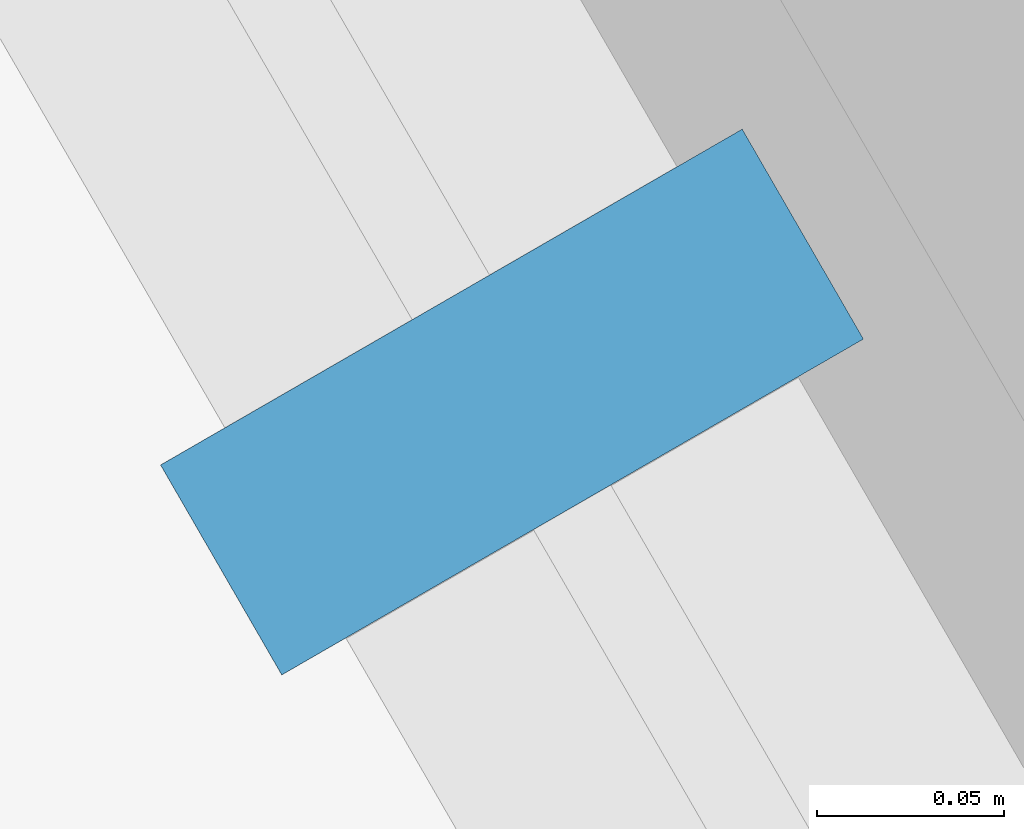
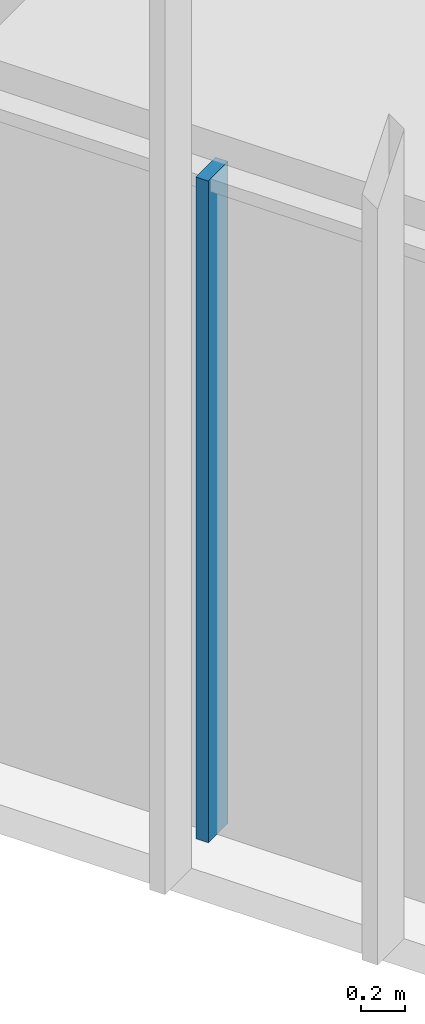
# One storey, part 45 of 256: 1 member, 1 element without a shape of its own.
"""IFC4 building model written with IfcOpenShell, lengths in metres."""

import ifcopenshell
import ifcopenshell.guid

model = None  # the IFC model being written
_history = None  # IfcOwnerHistory: only IFC2X3 demands one
_inside = {}  # id of a spatial element -> (the spatial element, [elements in it])
_under = {}  # id of a project, library or spatial element -> (it, [spatial elements below it])
_declared = {}  # id of a project -> (the project, [libraries it declares])
_typed = {}  # id of a type object -> (the type object, [elements of that type])
_made_of = {}  # id of a material, layer set ... -> (it, [elements and type objects made of it])


def new_model(schema):
    """Start an empty IFC model of exactly this schema.

    Asked for "IFC4X3", IfcOpenShell would pick the latest addendum, in which some entities
    have other attributes; the version numbers below select the first issue.
    IFC2X3 requires an IfcOwnerHistory on every rooted entity: one is made here for all.
    """
    global model, _history
    if schema == "IFC4X3":
        model = ifcopenshell.file(schema_version=(4, 3, 0, 0))
    else:
        model = ifcopenshell.file(schema=schema)
    _inside.clear()
    _under.clear()
    _declared.clear()
    _typed.clear()
    _made_of.clear()
    _history = None
    if model.schema == "IFC2X3":
        org = make("IfcOrganization", Name="unknown")
        user = make(
            "IfcPersonAndOrganization",
            ThePerson=make("IfcPerson", FamilyName="unknown"),
            TheOrganization=org,
        )
        app = make(
            "IfcApplication",
            ApplicationDeveloper=org,
            Version="unknown",
            ApplicationFullName="unknown",
            ApplicationIdentifier="unknown",
        )
        _history = make(
            "IfcOwnerHistory",
            OwningUser=user,
            OwningApplication=app,
            ChangeAction="ADDED",
            CreationDate=0,
        )
    return model


def make(cls, **values):
    """One entity of the class cls with the attributes given. An attribute that is None is left unset."""
    return model.create_entity(
        cls, **{name: value for name, value in values.items() if value is not None}
    )


def rooted(cls, **values):
    """An entity with a GlobalId (a new one), such as an element, a storey or a relation."""
    return make(cls, GlobalId=ifcopenshell.guid.new(), OwnerHistory=_history, **values)


def si_unit(unit_type, name, prefix=None):
    """IfcSIUnit, for example si_unit("LENGTHUNIT", "METRE", prefix="MILLI")."""
    return make("IfcSIUnit", UnitType=unit_type, Prefix=prefix, Name=name)


def assignment(units):
    """IfcUnitAssignment: the units of a project."""
    return None if units is None else make("IfcUnitAssignment", Units=units)


def point(xyz):
    """IfcCartesianPoint."""
    return None if xyz is None else make("IfcCartesianPoint", Coordinates=xyz)


def direction(xyz):
    """IfcDirection."""
    return None if xyz is None else make("IfcDirection", DirectionRatios=xyz)


def frame(location, z_axis=None, x_axis=None):
    """IfcAxis2Placement3D, a coordinate frame: its origin and axes. An axis left out is left unset."""
    return make(
        "IfcAxis2Placement3D",
        Location=point(location),
        Axis=direction(z_axis),
        RefDirection=direction(x_axis),
    )


def frame_2d(location, x_axis=None):
    """IfcAxis2Placement2D, a coordinate frame in the plane: its origin and x axis."""
    return make(
        "IfcAxis2Placement2D", Location=point(location), RefDirection=direction(x_axis)
    )


def origin():
    """The frame at (0, 0, 0) with its axes left unset."""
    return frame((0.0, 0.0, 0.0))


def origin_2d():
    """The frame at (0, 0) in the plane with its x axis left unset."""
    return frame_2d((0.0, 0.0))


def place(relative_to, where):
    """IfcLocalPlacement: puts the frame where relative to a parent placement (None: the world)."""
    return make(
        "IfcLocalPlacement", PlacementRelTo=relative_to, RelativePlacement=where
    )


def context(
    kind, dimensions, precision=None, world=None, true_north=None, identifier=None
):
    """IfcGeometricRepresentationContext, for example the 3D "Model" context."""
    return make(
        "IfcGeometricRepresentationContext",
        ContextIdentifier=identifier,
        ContextType=kind,
        CoordinateSpaceDimension=dimensions,
        Precision=precision,
        WorldCoordinateSystem=world,
        TrueNorth=true_north,
    )


def subcontext(parent, identifier, kind, view, scale=None):
    """IfcGeometricRepresentationSubContext, for example "Body" below "Model"."""
    return make(
        "IfcGeometricRepresentationSubContext",
        ContextIdentifier=identifier,
        ContextType=kind,
        ParentContext=parent,
        TargetScale=scale,
        TargetView=view,
    )


def project(units=None, contexts=None):
    """IfcProject with its units and contexts."""
    return rooted(
        "IfcProject",
        Name="project",
        RepresentationContexts=contexts,
        UnitsInContext=assignment(units),
    )


def spatial(cls, under=None, at=None, **own):
    """A site, building, storey or space (cls), placed at a placement, below another one or the project."""
    s = rooted(cls, ObjectPlacement=at, **own)
    if under is not None:
        _under.setdefault(under.id(), (under, []))[1].append(s)
    return s


def profile(cls, at=None, kind="AREA", **sizes):
    """A parametric profile (cls). Its sizes go by their IFC names, for example OverallWidth=200.0."""
    return make(cls, ProfileType=kind, Position=at, **sizes)


def rectangle(**sizes):
    """IfcRectangleProfileDef."""
    return profile("IfcRectangleProfileDef", **sizes)


def extrude(swept, where, along, depth):
    """IfcExtrudedAreaSolid: the profile swept, set in the frame where, extruded along a direction by depth."""
    return make(
        "IfcExtrudedAreaSolid",
        SweptArea=swept,
        Position=where,
        ExtrudedDirection=direction(along),
        Depth=depth,
    )


def shape(context_of_items, identifier, shape_type, items):
    """IfcShapeRepresentation: the items that make up one representation, for example the "Body"."""
    return make(
        "IfcShapeRepresentation",
        ContextOfItems=context_of_items,
        RepresentationIdentifier=identifier,
        RepresentationType=shape_type,
        Items=items,
    )


def material(Name=None, Category=None):
    """IfcMaterial."""
    return make("IfcMaterial", Name=Name, Category=Category)


def material_profile(
    of_material, cross_section, Name=None, Category=None, Priority=None
):
    """IfcMaterialProfile: a cross section and its material."""
    return make(
        "IfcMaterialProfile",
        Name=Name,
        Material=of_material,
        Profile=cross_section,
        Priority=Priority,
        Category=Category,
    )


def profile_set(profiles, Name=None, composite=None):
    """IfcMaterialProfileSet."""
    return make(
        "IfcMaterialProfileSet",
        Name=Name,
        MaterialProfiles=profiles,
        CompositeProfile=composite,
    )


def made_of(thing, what):
    """Note that an element or type object is made of a material, layer set ...; save() writes the relation."""
    if what is not None:
        _made_of.setdefault(what.id(), (what, []))[1].append(thing)
    return thing


def type_object(cls, material=None, **own):
    """A type object (cls), such as IfcWallType, which elements share."""
    return made_of(rooted(cls, **own), material)


def element(
    cls,
    number,
    at=None,
    inside=None,
    cuts=None,
    type_object=None,
    material=None,
    context=None,
    identifier="Body",
    shape_type=None,
    held_by="IfcProductDefinitionShape",
    body=None,
    shapes=None,
    **own,
):
    """One element of the class cls, such as IfcWall. Its Tag is "e" and its number.

    at: its placement. inside: the storey or other place that contains it. cuts: it is an
    opening in that element (IfcRelVoidsElement). A single representation is given by context,
    identifier, shape_type and body (its items); several are given by shapes. held_by: the class
    of the entity that holds the representations. save() writes the other relations.
    """
    e = rooted(cls, Tag="e%d" % number, ObjectPlacement=at, **own)
    if body is not None:
        shapes = [shape(context, identifier, shape_type, body)]
    if shapes is not None:
        e.Representation = make(held_by, Representations=shapes)
    if inside is not None:
        _inside.setdefault(inside.id(), (inside, []))[1].append(e)
    if cuts is not None:
        rooted(
            "IfcRelVoidsElement", RelatingBuildingElement=cuts, RelatedOpeningElement=e
        )
    if type_object is not None:
        _typed.setdefault(type_object.id(), (type_object, []))[1].append(e)
    return made_of(e, material)


def aggregate(whole, parts):
    """IfcRelAggregates: a whole, such as a stair, and the parts it consists of."""
    return rooted("IfcRelAggregates", RelatingObject=whole, RelatedObjects=parts)


def save(model, path):
    """Write the relations noted so far, then the file.

    IfcRelAggregates (storeys below a building ...), IfcRelContainedInSpatialStructure (elements
    in a storey), IfcRelDefinesByType, IfcRelAssociatesMaterial and IfcRelDeclares: one each for
    every whole, place, type object, material and project.
    """
    for whole, parts in _under.values():
        aggregate(whole, parts)
    for where, things in _inside.values():
        rooted(
            "IfcRelContainedInSpatialStructure",
            RelatedElements=things,
            RelatingStructure=where,
        )
    for kind, things in _typed.values():
        rooted("IfcRelDefinesByType", RelatedObjects=things, RelatingType=kind)
    for what, things in _made_of.values():
        rooted("IfcRelAssociatesMaterial", RelatedObjects=things, RelatingMaterial=what)
    for by, libraries in _declared.values():
        rooted("IfcRelDeclares", RelatingContext=by, RelatedDefinitions=libraries)
    model.write(path)


model = new_model("IFC4")

# Units and contexts
model_context = context("Model", 3, precision=1e-05, world=origin(), true_north=direction((0.0, 1.0)))
body_context = subcontext(model_context, "Body", "Model", "MODEL_VIEW")
ifc_project = project(units=[si_unit("LENGTHUNIT", "METRE"), si_unit("AREAUNIT", "SQUARE_METRE"), si_unit("VOLUMEUNIT", "CUBIC_METRE"), si_unit("PLANEANGLEUNIT", "RADIAN"), si_unit("MASSUNIT", "GRAM", prefix="KILO")], contexts=[model_context])

# Site, building, storey
site_placement = place(None, origin())
site = spatial("IfcSite", under=ifc_project, at=site_placement, CompositionType="ELEMENT")
building_placement = place(site_placement, origin())
building = spatial("IfcBuilding", under=site, at=building_placement, Name="Sandreach Pilgrim Tower", CompositionType="ELEMENT")
storey_placement = place(building_placement, frame((0.0, 0.0, 23.0)))
storey = spatial("IfcBuildingStorey", under=building, at=storey_placement, Name="L04", CompositionType="ELEMENT", Elevation=23.0)

# Curtain wall, member
ifc_material_1 = material(Name="Aluminium framed curtain wall", Category="aluminium")
curtain_wall_type = type_object("IfcCurtainWallType", Name="Hostel tower curtain wall", PredefinedType="NOTDEFINED", material=ifc_material_1)
curtain_wall_placement = place(storey_placement, origin())
curtain_wall = element("IfcCurtainWall", 1, at=curtain_wall_placement, inside=storey, type_object=curtain_wall_type, Name="CW-1 L04 SW", PredefinedType="NOTDEFINED")
ifc_material_2 = material(Name="Aluminium extrusion", Category="aluminium")
ifc_material_profile = material_profile(ifc_material_2, rectangle(XDim=0.06494140625, YDim=0.179931640625, at=origin_2d()), Name="CW-1M 65X180")
ifc_profile_set = profile_set([ifc_material_profile], Name="Aluminium extrusion")
member_type = type_object("IfcMemberType", Name="CW-1 mullion", PredefinedType="MULLION", material=ifc_profile_set)
member_placement = place(storey_placement, frame((-19.647216796875, -13.8671875, 0.0), z_axis=(0.0, 0.0, 1.0), x_axis=(-0.5, 0.866025403784, 0.0)))
member = element("IfcMember", 2, at=member_placement, type_object=member_type, Name="CW-1 mullion 5", PredefinedType="MULLION", context=body_context, shape_type="SweptSolid", body=[
    extrude(rectangle(XDim=0.06494140625, YDim=0.179931640625, at=origin_2d()), origin(), (0.0, 0.0, 1.0), 3.639892578125),
])
aggregate(curtain_wall, [member])

save(model, "model.ifc")
